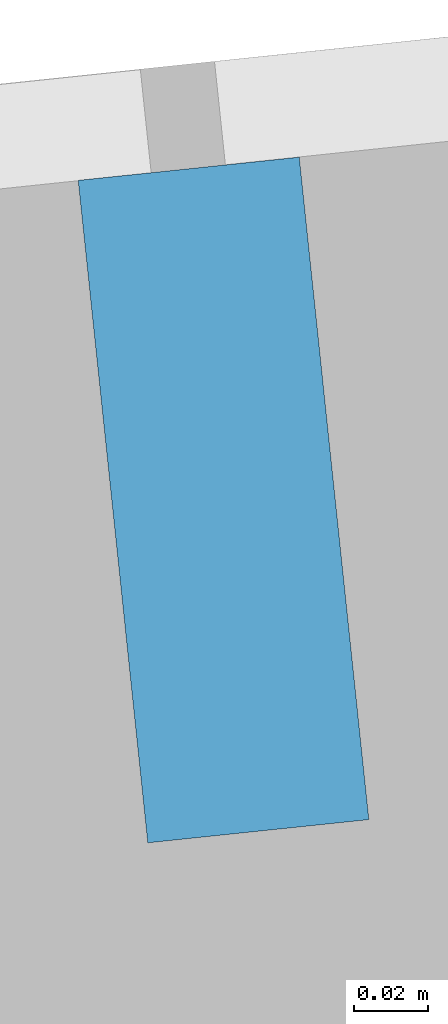
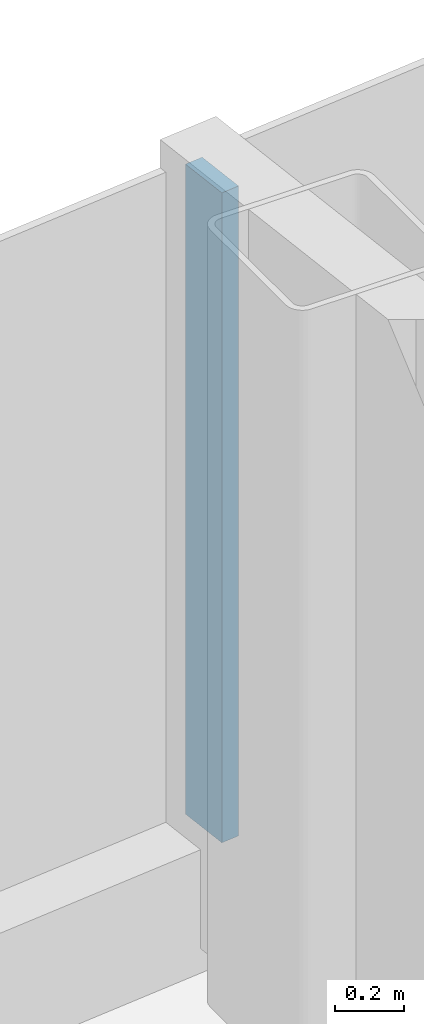
# One storey, part 9 of 27: 1 member, 1 element without a shape of its own.
"""IFC4 building model written with IfcOpenShell, lengths in metres."""

from ifc_helpers import new_model, si_unit, direction, frame, origin, origin_2d, place, context, subcontext, project, spatial, rectangle, extrude, material, layer, layer_set, material_profile, profile_set, type_object, element, aggregate, save


model = new_model("IFC4")

# Units and contexts
model_context = context("Model", 3, precision=1e-05, world=origin(), true_north=direction((0.0, 1.0)))
body_context = subcontext(model_context, "Body", "Model", "MODEL_VIEW")
ifc_project = project(units=[si_unit("LENGTHUNIT", "METRE"), si_unit("AREAUNIT", "SQUARE_METRE"), si_unit("VOLUMEUNIT", "CUBIC_METRE"), si_unit("PLANEANGLEUNIT", "RADIAN"), si_unit("MASSUNIT", "GRAM", prefix="KILO")], contexts=[model_context])

# Site, building, storey
site_placement = place(None, origin())
site = spatial("IfcSite", under=ifc_project, at=site_placement, CompositionType="ELEMENT")
building_placement = place(site_placement, origin())
building = spatial("IfcBuilding", under=site, at=building_placement, Name="Hakoniwa Tower and Hamabe Station Hall", CompositionType="ELEMENT")
storey_placement = place(building_placement, frame((0.0, 0.0, 242.199951171875)))
storey = spatial("IfcBuildingStorey", under=building, at=storey_placement, Name="L68", CompositionType="ELEMENT", Elevation=242.199951171875)

# Curtain wall, member
ifc_material_1 = material(Name="Dark low-e laminated glass", Category="glass")
ifc_layer = layer(ifc_material_1, 0.199951171875)
ifc_layer_set = layer_set([ifc_layer], Name="CW-1 UNITISED GUEST")
curtain_wall_type = type_object("IfcCurtainWallType", Name="CW-1 UNITISED GUEST", PredefinedType="NOTDEFINED", material=ifc_layer_set)
curtain_wall_placement = place(storey_placement, origin())
curtain_wall = element("IfcCurtainWall", 1, at=curtain_wall_placement, inside=storey, type_object=curtain_wall_type, Name="CW-1 curtain wall", PredefinedType="NOTDEFINED")
ifc_material_2 = material(Name="Aluminium 6063-T5 black anodised", Category="aluminium")
ifc_material_profile = material_profile(ifc_material_2, rectangle(XDim=0.06005859375, YDim=0.179931640625, at=origin_2d()), Name="CW-1 MULLION 60X180")
ifc_profile_set = profile_set([ifc_material_profile], Name="Aluminium 6063-T5 black anodised")
member_type = type_object("IfcMemberType", Name="CW-1 MULLION 60X180", PredefinedType="MULLION", material=ifc_profile_set)
member_placement = place(storey_placement, frame((-1.7958984375, 19.587890625, 0.35009765625), z_axis=(0.0, 0.0, 1.0), x_axis=(-0.994521895272, -0.104528464188, 0.0)))
member = element("IfcMember", 2, at=member_placement, type_object=member_type, Name="CW-1 mullion", PredefinedType="MULLION", context=body_context, shape_type="SweptSolid", body=[
    extrude(rectangle(XDim=0.06005859375, YDim=0.179931640625, at=origin_2d()), origin(), (0.0, 0.0, 1.0), 2.300048828125),
])
aggregate(curtain_wall, [member])

save(model, "model.ifc")
